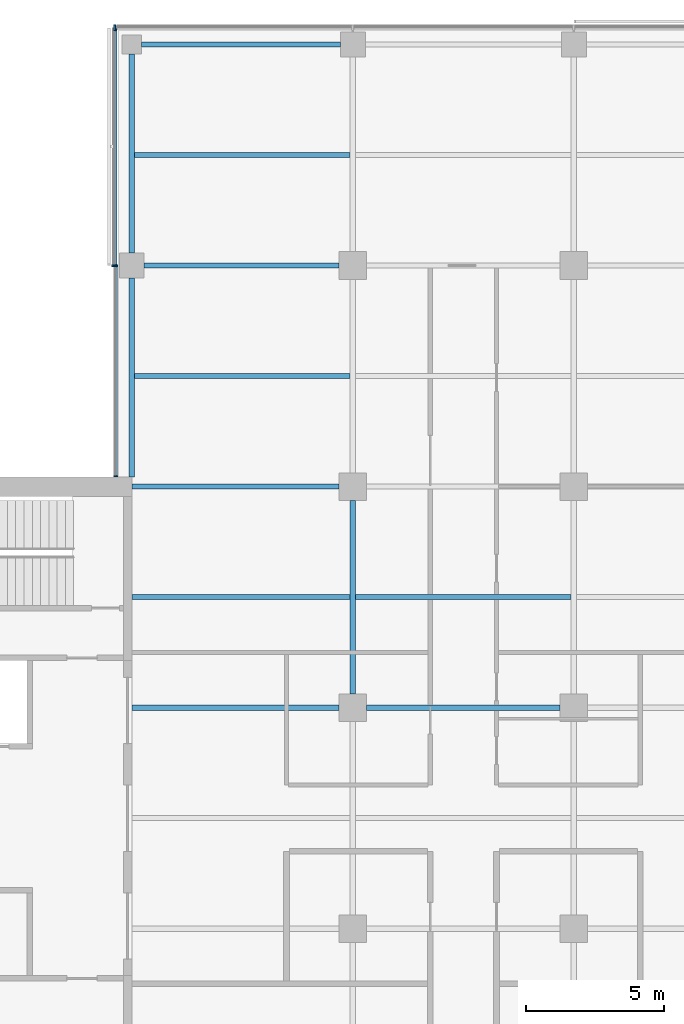
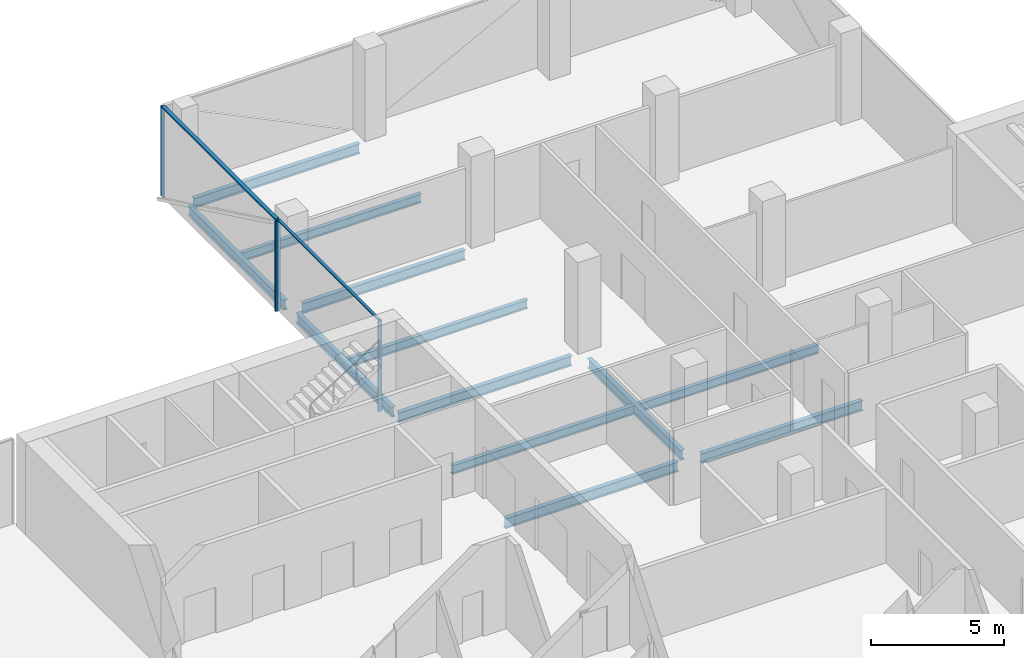
# One storey, part 8 of 22: 12 beams, 6 members, 3 elements without a shape of their own.
"""IFC4 building model written with IfcOpenShell, lengths in metres."""

from ifc_helpers import new_model, si_unit, direction, frame, origin, origin_2d, place, context, subcontext, project, spatial, rectangle, i_section, extrude, material, material_profile, profile_set, type_object, element, aggregate, save


model = new_model("IFC4")

# Units and contexts
model_context = context("Model", 3, precision=1e-05, world=origin(), true_north=direction((0.0, 1.0)))
body_context = subcontext(model_context, "Body", "Model", "MODEL_VIEW")
ifc_project = project(units=[si_unit("LENGTHUNIT", "METRE"), si_unit("AREAUNIT", "SQUARE_METRE"), si_unit("VOLUMEUNIT", "CUBIC_METRE"), si_unit("PLANEANGLEUNIT", "RADIAN"), si_unit("MASSUNIT", "GRAM", prefix="KILO")], contexts=[model_context])

# Site, building, storey
site_placement = place(None, origin())
site = spatial("IfcSite", under=ifc_project, at=site_placement, CompositionType="ELEMENT")
building_placement = place(site_placement, origin())
building = spatial("IfcBuilding", under=site, at=building_placement, Name="Crosswind Convention Tower", CompositionType="ELEMENT")
storey_placement = place(building_placement, frame((0.0, 0.0, 142.10009765625)))
storey = spatial("IfcBuildingStorey", under=building, at=storey_placement, Name="L29", CompositionType="ELEMENT", Elevation=142.10009765625)

# Beams
ifc_material_1 = material(Name="Steel S355", Category="steel")
ifc_material_profile_1 = material_profile(ifc_material_1, i_section(OverallWidth=0.18994140625, OverallDepth=0.45361328125, WebThickness=0.008544921875, FlangeThickness=0.0126953125, FilletRadius=0.01025390625, at=origin_2d()), Name="UB 457x191x67")
ifc_profile_set_1 = profile_set([ifc_material_profile_1], Name="Steel S355")
beam_type_1 = type_object("IfcBeamType", Name="Edge beam UB 457x191x67", PredefinedType="SPANDREL", material=ifc_profile_set_1)
for number, where, z_axis, x_axis, name in (
    (1, (113.0, 112.35009765625, -0.52685546875), (0.0, 1.0, 0.0), (-1.0, 0.0, 0.0), "B16 L29 edge beam 8"),
    (2, (113.0, 120.449951171875, -0.52685546875), (0.0, 1.0, 0.0), (-1.0, 0.0, 0.0), "B16 L29 edge beam 9"),
    (3, (113.35009765625, 128.0, -0.52685546875), (1.0, 0.0, 0.0), (0.0, 1.0, 0.0), "B16 L29 edge beam 11"),
):
    element("IfcBeam", number, at=place(storey_placement, frame(where, z_axis=z_axis, x_axis=x_axis)), inside=storey, type_object=beam_type_1, Name=name, PredefinedType="SPANDREL", context=body_context, shape_type="SweptSolid", body=[
        extrude(i_section(OverallWidth=0.18994140625, OverallDepth=0.45361328125, WebThickness=0.008544921875, FlangeThickness=0.0126953125, FilletRadius=0.01025390625, at=origin_2d()), origin(), (0.0, 0.0, 1.0), 7.199951171875),
    ])
ifc_material_profile_2 = material_profile(ifc_material_1, i_section(OverallWidth=0.19140625, OverallDepth=0.460205078125, WebThickness=0.010009765625, FlangeThickness=0.01611328125, FilletRadius=0.01025390625, at=origin_2d()), Name="UB 457x191x82")
ifc_profile_set_2 = profile_set([ifc_material_profile_2], Name="Steel S355")
beam_type_2 = type_object("IfcBeamType", Name="Girder UB 457x191x82", PredefinedType="BEAM", material=ifc_profile_set_2)
beam_1_placement = place(storey_placement, frame((113.449951171875, 120.0, -0.5302734375), z_axis=(1.0, 0.0, 0.0), x_axis=(0.0, 1.0, 0.0)))
element("IfcBeam", 4, at=beam_1_placement, inside=storey, type_object=beam_type_2, Name="B3 L29 girder 2", PredefinedType="BEAM", context=body_context, shape_type="SweptSolid", body=[
    extrude(i_section(OverallWidth=0.19140625, OverallDepth=0.460205078125, WebThickness=0.010009765625, FlangeThickness=0.01611328125, FilletRadius=0.01025390625, at=origin_2d()), origin(), (0.0, 0.0, 1.0), 7.050048828125),
])
for number, where, z_axis, x_axis, name in (
    (5, (121.0, 104.5, -0.5302734375), (0.0, 1.0, 0.0), (-1.0, 0.0, 0.0), "B3 L29 girder 7"),
    (6, (121.5, 104.0, -0.5302734375), (1.0, 0.0, 0.0), (0.0, 1.0, 0.0), "B3 L29 girder 13"),
):
    element("IfcBeam", number, at=place(storey_placement, frame(where, z_axis=z_axis, x_axis=x_axis)), inside=storey, type_object=beam_type_2, Name=name, PredefinedType="BEAM", context=body_context, shape_type="SweptSolid", body=[
        extrude(i_section(OverallWidth=0.19140625, OverallDepth=0.460205078125, WebThickness=0.010009765625, FlangeThickness=0.01611328125, FilletRadius=0.01025390625, at=origin_2d()), origin(), (0.0, 0.0, 1.0), 7.0),
    ])
ifc_material_profile_3 = material_profile(ifc_material_1, i_section(OverallWidth=0.19189453125, OverallDepth=0.463623046875, WebThickness=0.010498046875, FlangeThickness=0.017578125, FilletRadius=0.01025390625, at=origin_2d()), Name="UB 457x191x90")
ifc_profile_set_3 = profile_set([ifc_material_profile_3], Name="Steel S355")
beam_type_3 = type_object("IfcBeamType", Name="Girder at core wall UB 457x191x90", PredefinedType="BEAM", material=ifc_profile_set_3)
for number, where, z_axis, x_axis, name in (
    (7, (113.0, 104.0, -0.531982421875), (1.0, 0.0, 0.0), (0.0, 1.0, 0.0), "B24 L29 girder at core wall 5"),
    (8, (113.0, 112.0, -0.531982421875), (1.0, 0.0, 0.0), (0.0, 1.0, 0.0), "B24 L29 girder at core wall 6"),
):
    element("IfcBeam", number, at=place(storey_placement, frame(where, z_axis=z_axis, x_axis=x_axis)), inside=storey, type_object=beam_type_3, Name=name, PredefinedType="BEAM", context=body_context, shape_type="SweptSolid", body=[
        extrude(i_section(OverallWidth=0.19189453125, OverallDepth=0.463623046875, WebThickness=0.010498046875, FlangeThickness=0.017578125, FilletRadius=0.01025390625, at=origin_2d()), origin(), (0.0, 0.0, 1.0), 7.5),
    ])

# Curtain wall, members
ifc_material_2 = material(Name="Aluminium unitised curtain wall", Category="aluminium")
curtain_wall_type_1 = type_object("IfcCurtainWallType", Name="CORE END SLOT WALL 160", PredefinedType="USERDEFINED", material=ifc_material_2)
curtain_wall_1_placement = place(storey_placement, origin())
curtain_wall_1 = element("IfcCurtainWall", 9, at=curtain_wall_1_placement, inside=storey, type_object=curtain_wall_type_1, Name="CW6 L29 N-W.1-2 slot", ObjectType="UNITISED", PredefinedType="USERDEFINED")
ifc_material_3 = material(Name="Aluminium mullion", Category="aluminium")
ifc_material_profile_4 = material_profile(ifc_material_3, rectangle(XDim=0.159912109375, YDim=0.050048828125, at=origin_2d()), Name="AL 160X50")
ifc_profile_set_4 = profile_set([ifc_material_profile_4], Name="Aluminium mullion")
member_type_1 = type_object("IfcMemberType", Name="MULLION 50X160", PredefinedType="MULLION", material=ifc_profile_set_4)
member_1_placement = place(storey_placement, frame((112.419921875, 119.97509765625, -0.300048828125), z_axis=(0.0, 0.0, 1.0), x_axis=(-1.0, 0.0, 0.0)))
member_1 = element("IfcMember", 10, at=member_1_placement, type_object=member_type_1, Name="CW6 mullion 1", PredefinedType="MULLION", context=body_context, shape_type="SweptSolid", body=[
    extrude(rectangle(XDim=0.159912109375, YDim=0.050048828125, at=origin_2d()), origin(), (0.0, 0.0, 1.0), 4.14990234375),
])
member_2_placement = place(storey_placement, frame((112.419921875, 112.375, -0.300048828125), z_axis=(0.0, 0.0, 1.0), x_axis=(-1.0, 0.0, 0.0)))
member_2 = element("IfcMember", 11, at=member_2_placement, type_object=member_type_1, Name="CW6 mullion 2", PredefinedType="MULLION", context=body_context, shape_type="SweptSolid", body=[
    extrude(rectangle(XDim=0.159912109375, YDim=0.050048828125, at=origin_2d()), origin(), (0.0, 0.0, 1.0), 4.14990234375),
])

# Curtain wall, member
curtain_wall_type_2 = type_object("IfcCurtainWallType", Name="OFFICE UNITISED WALL 220", PredefinedType="USERDEFINED", material=ifc_material_2)
curtain_wall_2_placement = place(storey_placement, origin())
curtain_wall_2 = element("IfcCurtainWall", 12, at=curtain_wall_2_placement, inside=storey, type_object=curtain_wall_type_2, Name="CW3 L29 N-TIP 1", ObjectType="UNITISED", PredefinedType="USERDEFINED")
ifc_material_profile_5 = material_profile(ifc_material_3, rectangle(XDim=0.219970703125, YDim=0.070068359375, at=origin_2d()), Name="AL 220X70")
ifc_profile_set_5 = profile_set([ifc_material_profile_5], Name="Aluminium mullion")
member_type_2 = type_object("IfcMemberType", Name="MULLION 70X220", PredefinedType="MULLION", material=ifc_profile_set_5)
member_3_placement = place(storey_placement, frame((112.389892578125, 128.610107421875, -0.300048828125), z_axis=(0.0, 0.0, 1.0), x_axis=(0.0, 1.0, 0.0)))
member_3 = element("IfcMember", 13, at=member_3_placement, type_object=member_type_2, Name="CW3 mullion 4", PredefinedType="MULLION", context=body_context, shape_type="SweptSolid", body=[
    extrude(rectangle(XDim=0.219970703125, YDim=0.070068359375, at=origin_2d()), origin(), (0.0, 0.0, 1.0), 4.1298828125),
])
aggregate(curtain_wall_2, [member_3])

curtain_wall_3_placement = place(storey_placement, origin())
curtain_wall_3 = element("IfcCurtainWall", 14, at=curtain_wall_3_placement, inside=storey, type_object=curtain_wall_type_2, Name="CW3 L29 N-W 1", ObjectType="UNITISED", PredefinedType="USERDEFINED")
member_4_placement = place(storey_placement, frame((112.389892578125, 120.0, -0.300048828125), z_axis=(0.0, 0.0, 1.0), x_axis=(-1.0, 0.0, 0.0)))
member_4 = element("IfcMember", 15, at=member_4_placement, type_object=member_type_2, Name="CW3 mullion 2", PredefinedType="MULLION", context=body_context, shape_type="SweptSolid", body=[
    extrude(rectangle(XDim=0.219970703125, YDim=0.070068359375, at=origin_2d()), origin(), (0.0, 0.0, 1.0), 4.1298828125),
])

# Beams
ifc_material_profile_6 = material_profile(ifc_material_1, i_section(OverallWidth=0.177734375, OverallDepth=0.406494140625, WebThickness=0.0078125, FlangeThickness=0.0126953125, FilletRadius=0.01025390625, at=origin_2d()), Name="UB 406x178x60")
ifc_profile_set_6 = profile_set([ifc_material_profile_6], Name="Steel S355")
beam_type_4 = type_object("IfcBeamType", Name="Secondary beam UB 406x178x60", PredefinedType="JOIST", material=ifc_profile_set_6)
beam_2_placement = place(storey_placement, frame((113.0, 108.0, -0.50341796875), z_axis=(1.0, 0.0, 0.0), x_axis=(0.0, 1.0, 0.0)))
element("IfcBeam", 16, at=beam_2_placement, inside=storey, type_object=beam_type_4, Name="B10 L29 secondary beam 6", PredefinedType="JOIST", context=body_context, shape_type="SweptSolid", body=[
    extrude(i_section(OverallWidth=0.177734375, OverallDepth=0.406494140625, WebThickness=0.0078125, FlangeThickness=0.0126953125, FilletRadius=0.01025390625, at=origin_2d()), origin(), (0.0, 0.0, 1.0), 7.904296875),
])
for number, where, z_axis, x_axis, name in (
    (17, (113.094970703125, 116.0, -0.50341796875), (1.0, 0.0, 0.0), (0.0, 1.0, 0.0), "B10 L29 secondary beam 9"),
    (18, (113.094970703125, 124.0, -0.50341796875), (1.0, 0.0, 0.0), (0.0, 1.0, 0.0), "B10 L29 secondary beam 10"),
):
    element("IfcBeam", number, at=place(storey_placement, frame(where, z_axis=z_axis, x_axis=x_axis)), inside=storey, type_object=beam_type_4, Name=name, PredefinedType="JOIST", context=body_context, shape_type="SweptSolid", body=[
        extrude(i_section(OverallWidth=0.177734375, OverallDepth=0.406494140625, WebThickness=0.0078125, FlangeThickness=0.0126953125, FilletRadius=0.01025390625, at=origin_2d()), origin(), (0.0, 0.0, 1.0), 7.809326171875),
    ])
beam_3_placement = place(storey_placement, frame((121.095703125, 108.0, -0.50341796875), z_axis=(1.0, 0.0, 0.0), x_axis=(0.0, 1.0, 0.0)))
element("IfcBeam", 19, at=beam_3_placement, inside=storey, type_object=beam_type_4, Name="B10 L29 secondary beam 15", PredefinedType="JOIST", context=body_context, shape_type="SweptSolid", body=[
    extrude(i_section(OverallWidth=0.177734375, OverallDepth=0.406494140625, WebThickness=0.0078125, FlangeThickness=0.0126953125, FilletRadius=0.01025390625, at=origin_2d()), origin(), (0.0, 0.0, 1.0), 7.80859375),
])

# Member
ifc_material_4 = material(Name="Aluminium transom", Category="aluminium")
ifc_material_profile_7 = material_profile(ifc_material_4, rectangle(XDim=0.1201171875, YDim=0.050048828125, at=origin_2d()), Name="AL 120X50")
ifc_profile_set_7 = profile_set([ifc_material_profile_7], Name="Aluminium transom")
member_type_3 = type_object("IfcMemberType", Name="TRANSOM 50X120", PredefinedType="USERDEFINED", material=ifc_profile_set_7)
member_5_placement = place(storey_placement, frame((112.419921875, 119.949951171875, 3.875), z_axis=(0.0, -1.0, 0.0), x_axis=(1.0, 0.0, 0.0)))
member_5 = element("IfcMember", 20, at=member_5_placement, type_object=member_type_3, Name="CW6 transom", ObjectType="TRANSOM", PredefinedType="USERDEFINED", context=body_context, shape_type="SweptSolid", body=[
    extrude(rectangle(XDim=0.1201171875, YDim=0.050048828125, at=origin_2d()), origin(), (0.0, 0.0, 1.0), 7.550048828125),
])

aggregate(curtain_wall_1, [member_1, member_2, member_5])

ifc_material_profile_8 = material_profile(ifc_material_4, rectangle(XDim=0.159912109375, YDim=0.070068359375, at=origin_2d()), Name="AL 160X70")
ifc_profile_set_8 = profile_set([ifc_material_profile_8], Name="Aluminium transom")
member_type_4 = type_object("IfcMemberType", Name="TRANSOM 70X160", PredefinedType="USERDEFINED", material=ifc_profile_set_8)
member_6_placement = place(storey_placement, frame((112.389892578125, 128.574951171875, 3.864990234375), z_axis=(0.0, -1.0, 0.0), x_axis=(1.0, 0.0, 0.0)))
member_6 = element("IfcMember", 21, at=member_6_placement, type_object=member_type_4, Name="CW3 transom", ObjectType="TRANSOM", PredefinedType="USERDEFINED", context=body_context, shape_type="SweptSolid", body=[
    extrude(rectangle(XDim=0.159912109375, YDim=0.070068359375, at=origin_2d()), origin(), (0.0, 0.0, 1.0), 8.5400390625),
])

aggregate(curtain_wall_3, [member_4, member_6])

save(model, "model.ifc")
